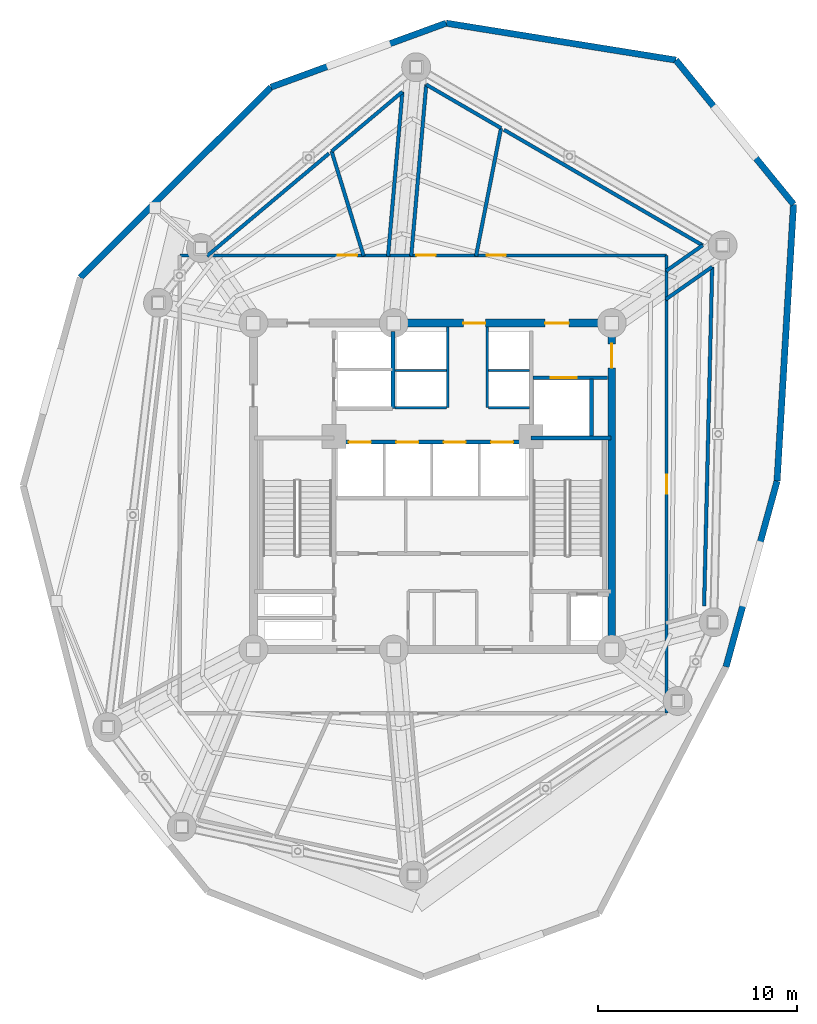
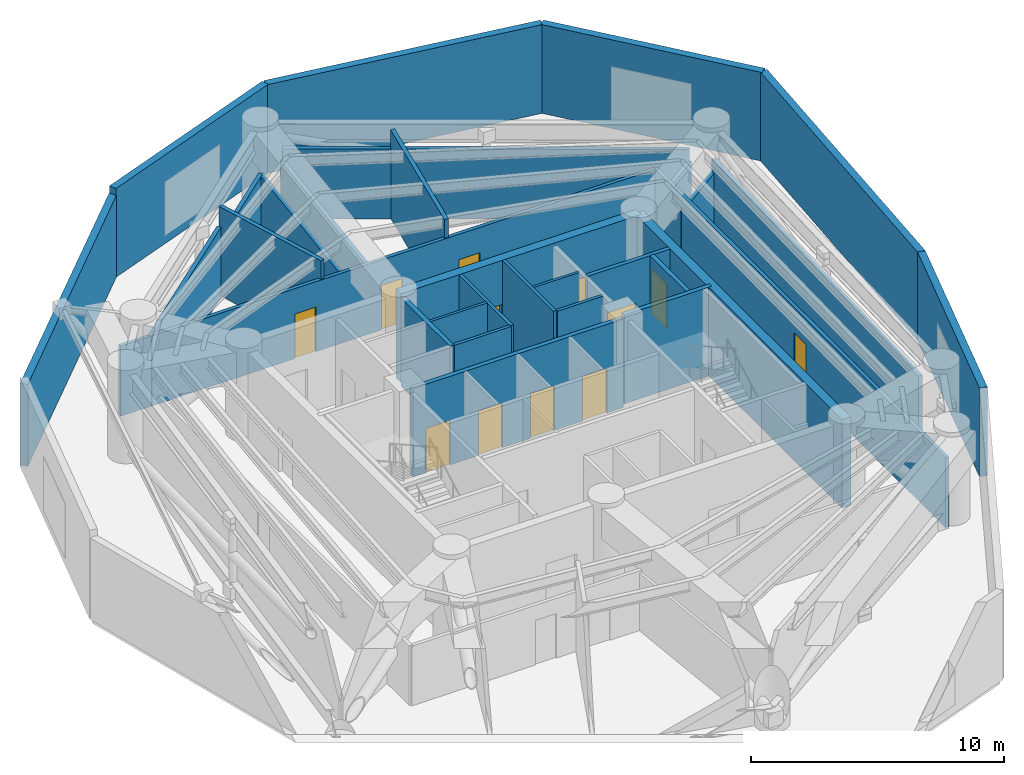
# One storey, part 7 of 11: 32 walls, 12 doors, 12 openings.
"""IFC4 building model written with IfcOpenShell, lengths in metres."""

from ifc_helpers import new_model, si_unit, direction, frame, frame_2d, origin, origin_with_axes, place, context, subcontext, project, spatial, rectangle, extrude, source, transform, mapped, material, layer, layer_set, type_object, element, fill, save


model = new_model("IFC4")

# Units and contexts
model_context = context("Model", 3, precision=1e-05, world=origin(), true_north=direction((0.0, 1.0)))
body_context = subcontext(model_context, "Body", "Model", "MODEL_VIEW")
ifc_project = project(units=[si_unit("LENGTHUNIT", "METRE"), si_unit("AREAUNIT", "SQUARE_METRE"), si_unit("VOLUMEUNIT", "CUBIC_METRE"), si_unit("PLANEANGLEUNIT", "RADIAN"), si_unit("MASSUNIT", "GRAM", prefix="KILO")], contexts=[model_context])

# Site, building, storey
site_placement = place(None, origin())
site = spatial("IfcSite", under=ifc_project, at=site_placement, CompositionType="ELEMENT")
building_placement = place(site_placement, origin())
building = spatial("IfcBuilding", under=site, at=building_placement, Name="Karkom Vertical University and Central Library", CompositionType="ELEMENT")
storey_placement = place(building_placement, frame((0.0, 0.0, 148.050048828125)))
storey = spatial("IfcBuildingStorey", under=building, at=storey_placement, Name="P42", CompositionType="ELEMENT", Elevation=148.050048828125)

# Walls
ifc_material_1 = material(Name="Brick-faced precast concrete C45/55", Category="masonry")
ifc_layer_1 = layer(ifc_material_1, 0.320068359375)
ifc_layer_set_1 = layer_set([ifc_layer_1], Name="Brick-faced precast concrete C45/55")
wall_type_1 = type_object("IfcWallType", Name="ENV-WL-BRK-320", PredefinedType="SOLIDWALL", material=ifc_layer_set_1)
wall_1_placement = place(storey_placement, frame((43.241455078125, 17.431884765625, 0.0), z_axis=(0.0, 0.0, 1.0), x_axis=(0.264882095781, 0.964280807304, 0.0)))
element("IfcWall", 1, at=wall_1_placement, inside=storey, type_object=wall_type_1, Name="Plant Level 42 Brick-Faced Precast Facade Wall 07", PredefinedType="SOLIDWALL", context=body_context, shape_type="SweptSolid", body=[
    extrude(rectangle(XDim=9.6787109375, YDim=0.320068359375, at=frame_2d((4.83935546875, 0.0))), origin(), (0.0, 0.0, 1.0), 4.27490234375),
])
wall_2_placement = place(storey_placement, frame((45.80517578125, 26.764892578125, 0.0), z_axis=(0.0, 0.0, 1.0), x_axis=(0.059429038074, 0.998232532747, 0.0)))
element("IfcWall", 2, at=wall_2_placement, inside=storey, type_object=wall_type_1, Name="Plant Level 42 Brick-Faced Precast Facade Wall 08", PredefinedType="SOLIDWALL", context=body_context, shape_type="SweptSolid", body=[
    extrude(rectangle(XDim=13.926513671875, YDim=0.320068359375, at=frame_2d((6.96337890625, 0.0))), origin(), (0.0, 0.0, 1.0), 4.27490234375),
])
wall_3_placement = place(storey_placement, frame((46.6328125, 40.666748046875, 0.0), z_axis=(0.0, 0.0, 1.0), x_axis=(-0.632230676024, 0.774780209023, 0.0)))
element("IfcWall", 3, at=wall_3_placement, inside=storey, type_object=wall_type_1, Name="Plant Level 42 Brick-Faced Precast Facade Wall 09", PredefinedType="SOLIDWALL", context=body_context, shape_type="SweptSolid", body=[
    extrude(rectangle(XDim=9.35107421875, YDim=0.320068359375, at=frame_2d((4.675537109375, 0.0))), origin(), (0.0, 0.0, 1.0), 4.27490234375),
])
wall_4_placement = place(storey_placement, frame((40.720703125, 47.911865234375, 0.0), z_axis=(0.0, 0.0, 1.0), x_axis=(-0.987324235098, 0.15871627134, 0.0)))
element("IfcWall", 4, at=wall_4_placement, inside=storey, type_object=wall_type_1, Name="Plant Level 42 Brick-Faced Precast Facade Wall 10", PredefinedType="SOLIDWALL", context=body_context, shape_type="SweptSolid", body=[
    extrude(rectangle(XDim=11.68896484375, YDim=0.320068359375, at=frame_2d((5.844482421875, 0.0))), origin(), (0.0, 0.0, 1.0), 4.27490234375),
])
wall_5_placement = place(storey_placement, frame((29.179931640625, 49.76708984375, 0.0), z_axis=(0.0, 0.0, 1.0), x_axis=(-0.939309487997, -0.343070963153, 0.0)))
element("IfcWall", 5, at=wall_5_placement, inside=storey, type_object=wall_type_1, Name="Plant Level 42 Brick-Faced Precast Facade Wall 11", PredefinedType="SOLIDWALL", context=body_context, shape_type="SweptSolid", body=[
    extrude(rectangle(XDim=9.37158203125, YDim=0.320068359375, at=frame_2d((4.685791015625, 0.0))), origin(), (0.0, 0.0, 1.0), 4.27490234375),
])
wall_6_placement = place(storey_placement, frame((20.377197265625, 46.552001953125, 0.0), z_axis=(0.0, 0.0, 1.0), x_axis=(-0.70744932358, -0.706764072776, 0.0)))
element("IfcWall", 6, at=wall_6_placement, inside=storey, type_object=wall_type_1, Name="Plant Level 42 Brick-Faced Precast Facade Wall 12", PredefinedType="SOLIDWALL", context=body_context, shape_type="SweptSolid", body=[
    extrude(rectangle(XDim=13.53857421875, YDim=0.320068359375, at=frame_2d((6.769287109375, 0.0))), origin(), (0.0, 0.0, 1.0), 3.945068359375),
])

# Wall, openings, doors
ifc_material_2 = material(Name="Insulated metal-stud drywall 160mm", Category="gypsum")
ifc_layer_2 = layer(ifc_material_2, 0.159912109375)
ifc_layer_set_2 = layer_set([ifc_layer_2], Name="Insulated metal-stud drywall 160mm")
wall_type_2 = type_object("IfcWallType", Name="INT-WL-COR-160F", PredefinedType="PARTITIONING", material=ifc_layer_set_2)
wall_7_placement = place(storey_placement, frame((15.800048828125, 38.10009765625, 0.0), z_axis=(0.0, 0.0, 1.0), x_axis=(1.0, 0.0, 0.0)))
wall_7 = element("IfcWall", 7, at=wall_7_placement, inside=storey, type_object=wall_type_2, Name="Plant Level 42 Interior Partition Wall P42-PCORW-CW-003", PredefinedType="PARTITIONING", context=body_context, shape_type="SweptSolid", body=[
    extrude(rectangle(XDim=24.449951171875, YDim=0.159912109375, at=frame_2d((12.22509765625, 0.0))), origin(), (0.0, 0.0, 1.0), 3.375),
])
opening_1_placement = place(wall_7_placement, frame((15.41748046875, 0.0, 0.0)))
opening_1 = element("IfcOpeningElement", 8, at=opening_1_placement, cuts=wall_7, Name="Opening FD-RM1", PredefinedType="OPENING", context=body_context, shape_type="SweptSolid", body=[
    extrude(rectangle(XDim=0.9599609375, YDim=2.14990234375, at=frame_2d((0.47998046875, 1.074951171875))), frame((0.0, 0.08984375, 0.0), z_axis=(0.0, -1.0, 0.0), x_axis=(1.0, 0.0, 0.0)), (0.0, 0.0, 1.0), 0.179931640625),
])
opening_2_placement = place(wall_7_placement, frame((11.889892578125, 0.0, 0.0)))
opening_2 = element("IfcOpeningElement", 9, at=opening_2_placement, cuts=wall_7, Name="Opening FD-RM1", PredefinedType="OPENING", context=body_context, shape_type="SweptSolid", body=[
    extrude(rectangle(XDim=0.9599609375, YDim=2.14990234375, at=frame_2d((0.47998046875, 1.074951171875))), frame((0.0, 0.08984375, 0.0), z_axis=(0.0, -1.0, 0.0), x_axis=(1.0, 0.0, 0.0)), (0.0, 0.0, 1.0), 0.179931640625),
])
opening_3_placement = place(wall_7_placement, frame((7.9423828125, 0.0, 0.0)))
opening_3 = element("IfcOpeningElement", 10, at=opening_3_placement, cuts=wall_7, Name="Opening FD-RM1", PredefinedType="OPENING", context=body_context, shape_type="SweptSolid", body=[
    extrude(rectangle(XDim=0.9599609375, YDim=2.14990234375, at=frame_2d((0.47998046875, 1.074951171875))), frame((0.0, 0.08984375, 0.0), z_axis=(0.0, -1.0, 0.0), x_axis=(1.0, 0.0, 0.0)), (0.0, 0.0, 1.0), 0.179931640625),
])
ifc_material_3 = material(Name="Fire-rated oak veneer door", Category="wood")
door_type_1 = type_object("IfcDoorType", Name="INT-DR-FRM1", OperationType="NOTDEFINED", PredefinedType="DOOR", material=ifc_material_3)
shared_shape_1 = source(origin_with_axes(), body_context, "Body", "SweptSolid", [
    extrude(rectangle(XDim=0.9599609375, YDim=2.14990234375, at=frame_2d((0.47998046875, 1.074951171875))), frame((0.0, 0.02490234375, 0.0), z_axis=(0.0, -1.0, 0.0), x_axis=(1.0, 0.0, 0.0)), (0.0, 0.0, 1.0), 0.050048828125),
])
door_1_placement = place(opening_1_placement, origin())
door_1 = element("IfcDoor", 11, at=door_1_placement, inside=storey, type_object=door_type_1, Name="Plant Level 42 Room Entry Door 705", OperationType="SINGLE_SWING_RIGHT", OverallHeight=2.14990234375, OverallWidth=0.9599609375, PredefinedType="DOOR", context=body_context, shape_type="MappedRepresentation", body=[
    mapped(shared_shape_1, transform((0.0, 0.0, 0.0), scale=1.0)),
])
fill(opening_1, door_1)
door_2_placement = place(opening_2_placement, origin())
door_2 = element("IfcDoor", 12, at=door_2_placement, inside=storey, type_object=door_type_1, Name="Plant Level 42 Room Entry Door 706", OperationType="SINGLE_SWING_LEFT", OverallHeight=2.14990234375, OverallWidth=0.9599609375, PredefinedType="DOOR", context=body_context, shape_type="MappedRepresentation", body=[
    mapped(shared_shape_1, transform((0.0, 0.0, 0.0), scale=1.0)),
])
fill(opening_2, door_2)
door_3_placement = place(opening_3_placement, origin())
door_3 = element("IfcDoor", 13, at=door_3_placement, inside=storey, type_object=door_type_1, Name="Plant Level 42 Room Entry Door 707", OperationType="SINGLE_SWING_LEFT", OverallHeight=2.14990234375, OverallWidth=0.9599609375, PredefinedType="DOOR", context=body_context, shape_type="MappedRepresentation", body=[
    mapped(shared_shape_1, transform((0.0, 0.0, 0.0), scale=1.0)),
])
fill(opening_3, door_3)

# Wall, opening, door
wall_8_placement = place(storey_placement, frame((40.25, 38.10009765625, 0.0), z_axis=(0.0, 0.0, 1.0), x_axis=(0.0, -1.0, 0.0)))
wall_8 = element("IfcWall", 14, at=wall_8_placement, inside=storey, type_object=wall_type_2, Name="Plant Level 42 Interior Partition Wall P42-PCORW-CW-004", PredefinedType="PARTITIONING", context=body_context, shape_type="SweptSolid", body=[
    extrude(rectangle(XDim=23.0, YDim=0.159912109375, at=frame_2d((11.5, 0.0))), origin(), (0.0, 0.0, 1.0), 3.375),
])
opening_4_placement = place(wall_8_placement, frame((11.02490234375, 0.0, 0.0)))
opening_4 = element("IfcOpeningElement", 15, at=opening_4_placement, cuts=wall_8, Name="Opening FD-RM1", PredefinedType="OPENING", context=body_context, shape_type="SweptSolid", body=[
    extrude(rectangle(XDim=0.9599609375, YDim=2.14990234375, at=frame_2d((0.47998046875, 1.074951171875))), frame((0.0, 0.08984375, 0.0), z_axis=(0.0, -1.0, 0.0), x_axis=(1.0, 0.0, 0.0)), (0.0, 0.0, 1.0), 0.179931640625),
])
door_4_placement = place(opening_4_placement, origin())
door_4 = element("IfcDoor", 16, at=door_4_placement, inside=storey, type_object=door_type_1, Name="Plant Level 42 Room Entry Door 704", OperationType="SINGLE_SWING_LEFT", OverallHeight=2.14990234375, OverallWidth=0.9599609375, PredefinedType="DOOR", context=body_context, shape_type="MappedRepresentation", body=[
    mapped(shared_shape_1, transform((0.0, 0.0, 0.0), scale=1.0)),
])
fill(opening_4, door_4)

# Walls
ifc_material_4 = material(Name="Moisture-resistant drywall 120mm", Category="gypsum")
ifc_layer_3 = layer(ifc_material_4, 0.1201171875)
ifc_layer_set_3 = layer_set([ifc_layer_3], Name="Moisture-resistant drywall 120mm")
wall_type_3 = type_object("IfcWallType", Name="INT-WL-INT-120H", PredefinedType="PARTITIONING", material=ifc_layer_set_3)
wall_9_placement = place(storey_placement, frame((26.6201171875, 32.320068359375, 0.0), z_axis=(0.0, 0.0, 1.0), x_axis=(1.0, 0.0, 0.0)))
element("IfcWall", 17, at=wall_9_placement, inside=storey, type_object=wall_type_3, Name="Plant Level 42 Interior Partition Wall P42-CW-PH-MW", PredefinedType="PARTITIONING", context=body_context, shape_type="SweptSolid", body=[
    extrude(rectangle(XDim=2.579833984375, YDim=0.1201171875, at=frame_2d((1.2900390625, 0.0))), origin(), (0.0, 0.0, 1.0), 4.27490234375),
])
wall_10_placement = place(storey_placement, frame((31.300048828125, 32.320068359375, 0.0), z_axis=(0.0, 0.0, 1.0), x_axis=(1.0, 0.0, 0.0)))
element("IfcWall", 18, at=wall_10_placement, inside=storey, type_object=wall_type_3, Name="Plant Level 42 Interior Partition Wall P42-CW-PH-ME", PredefinedType="PARTITIONING", context=body_context, shape_type="SweptSolid", body=[
    extrude(rectangle(XDim=2.074951171875, YDim=0.1201171875, at=frame_2d((1.03759765625, 0.0))), origin(), (0.0, 0.0, 1.0), 4.27490234375),
])
ifc_material_5 = material(Name="Metal-stud gypsum partition 140mm", Category="gypsum")
ifc_layer_4 = layer(ifc_material_5, 0.139892578125)
ifc_layer_set_4 = layer_set([ifc_layer_4], Name="Metal-stud gypsum partition 140mm")
wall_type_4 = type_object("IfcWallType", Name="INT-WL-SUB-140H", PredefinedType="PARTITIONING", material=ifc_layer_set_4)
for number, where, z_axis, x_axis, name in (
    (19, (29.260009765625, 30.449951171875, 0.0), (0.0, 0.0, 1.0), (0.0, 1.0, 0.0), "Plant Level 42 Interior Partition Wall P42-CW-PH-W"),
    (20, (31.239990234375, 30.449951171875, 0.0), (0.0, 0.0, 1.0), (0.0, 1.0, 0.0), "Plant Level 42 Interior Partition Wall P42-CW-PH-E"),
):
    element("IfcWall", number, at=place(storey_placement, frame(where, z_axis=z_axis, x_axis=x_axis)), inside=storey, type_object=wall_type_4, Name=name, PredefinedType="PARTITIONING", context=body_context, shape_type="SweptSolid", body=[
        extrude(rectangle(XDim=4.04296875, YDim=0.139892578125, at=frame_2d((2.021484375, 0.0))), origin(), (0.0, 0.0, 1.0), 4.27490234375),
    ])
wall_11_placement = place(storey_placement, frame((26.6201171875, 30.449951171875, 0.0), z_axis=(0.0, 0.0, 1.0), x_axis=(1.0, 0.0, 0.0)))
element("IfcWall", 21, at=wall_11_placement, inside=storey, type_object=wall_type_4, Name="Plant Level 42 Interior Partition Wall P42-CW-PH-S1", PredefinedType="PARTITIONING", context=body_context, shape_type="SweptSolid", body=[
    extrude(rectangle(XDim=2.579833984375, YDim=0.139892578125, at=frame_2d((1.2900390625, 0.0))), origin(), (0.0, 0.0, 1.0), 4.27490234375),
])
wall_12_placement = place(storey_placement, frame((31.300048828125, 30.449951171875, 0.0), z_axis=(0.0, 0.0, 1.0), x_axis=(1.0, 0.0, 0.0)))
element("IfcWall", 22, at=wall_12_placement, inside=storey, type_object=wall_type_4, Name="Plant Level 42 Interior Partition Wall P42-CW-PH-S2", PredefinedType="PARTITIONING", context=body_context, shape_type="SweptSolid", body=[
    extrude(rectangle(XDim=2.074951171875, YDim=0.139892578125, at=frame_2d((1.03759765625, 0.0))), origin(), (0.0, 0.0, 1.0), 4.27490234375),
])
ifc_material_6 = material(Name="Twin-stud acoustic drywall 180mm", Category="gypsum")
ifc_layer_5 = layer(ifc_material_6, 0.179931640625)
ifc_layer_set_5 = layer_set([ifc_layer_5], Name="Twin-stud acoustic drywall 180mm")
wall_type_5 = type_object("IfcWallType", Name="INT-WL-TEN-180F", PredefinedType="PARTITIONING", material=ifc_layer_set_5)
wall_13_placement = place(storey_placement, frame((42.544189453125, 37.523681640625, 0.0), z_axis=(0.0, 0.0, 1.0), x_axis=(-0.02381710021, -0.999716332635, 0.0)))
element("IfcWall", 23, at=wall_13_placement, inside=storey, type_object=wall_type_5, Name="Plant Level 42 Interior Partition Wall P42-PLCHW-012", PredefinedType="PARTITIONING", context=body_context, shape_type="SweptSolid", body=[
    extrude(rectangle(XDim=17.03662109375, YDim=0.179931640625, at=frame_2d((8.518310546875, 0.0))), origin(), (0.0, 0.0, 1.0), 3.375),
])
wall_14_placement = place(storey_placement, frame((32.084228515625, 44.40869140625, 0.0), z_axis=(0.0, 0.0, 1.0), x_axis=(0.864506545688, -0.502621559887, 0.0)))
element("IfcWall", 24, at=wall_14_placement, inside=storey, type_object=wall_type_5, Name="Plant Level 42 Interior Partition Wall P42-PLCHW-015", PredefinedType="PARTITIONING", context=body_context, shape_type="SweptSolid", body=[
    extrude(rectangle(XDim=11.54638671875, YDim=0.179931640625, at=frame_2d((5.773193359375, 0.0))), origin(), (0.0, 0.0, 1.0), 3.375),
])
wall_15_placement = place(storey_placement, frame((27.42578125, 38.05517578125, 0.0), z_axis=(0.0, 0.0, 1.0), x_axis=(0.087122516356, 0.996197604466, 0.0)))
element("IfcWall", 25, at=wall_15_placement, inside=storey, type_object=wall_type_5, Name="Plant Level 42 Interior Partition Wall P42-PLCHW-018", PredefinedType="PARTITIONING", context=body_context, shape_type="SweptSolid", body=[
    extrude(rectangle(XDim=8.65625, YDim=0.179931640625, at=frame_2d((4.328125, 0.0))), origin(), (0.0, 0.0, 1.0), 2.77490234375),
])
wall_16_placement = place(storey_placement, frame((26.98388671875, 46.318359375, 0.0), z_axis=(0.0, 0.0, 1.0), x_axis=(-0.08712240554, -0.996197614157, 0.0)))
element("IfcWall", 26, at=wall_16_placement, inside=storey, type_object=wall_type_5, Name="Plant Level 42 Interior Partition Wall P42-PLCHW-017", PredefinedType="PARTITIONING", context=body_context, shape_type="SweptSolid", body=[
    extrude(rectangle(XDim=8.294677734375, YDim=0.179931640625, at=frame_2d((4.1474609375, 0.0))), origin(), (0.0, 0.0, 1.0), 2.77490234375),
])
wall_17_placement = place(storey_placement, frame((17.1669921875, 38.071044921875, 0.0), z_axis=(0.0, 0.0, 1.0), x_axis=(0.765666999963, 0.643237160904, 0.0)))
element("IfcWall", 27, at=wall_17_placement, inside=storey, type_object=wall_type_5, Name="Plant Level 42 Interior Partition Wall P42-PLCHW-023", PredefinedType="PARTITIONING", context=body_context, shape_type="SweptSolid", body=[
    extrude(rectangle(XDim=8.00244140625, YDim=0.179931640625, at=frame_2d((4.001220703125, 0.0))), origin(), (0.0, 0.0, 1.0), 3.375),
])
wall_18_placement = place(storey_placement, frame((31.93798828125, 44.49365234375, 0.0), z_axis=(0.0, 0.0, 1.0), x_axis=(-0.191970305615, -0.981400734543, 0.0)))
element("IfcWall", 28, at=wall_18_placement, inside=storey, type_object=wall_type_5, Name="Plant Level 42 Interior Partition Wall P42-PLCHW-020", PredefinedType="PARTITIONING", context=body_context, shape_type="SweptSolid", body=[
    extrude(rectangle(XDim=6.559814453125, YDim=0.179931640625, at=frame_2d((3.27978515625, 0.0))), origin(), (0.0, 0.0, 1.0), 4.27490234375),
])
wall_19_placement = place(storey_placement, frame((25.03857421875, 38.0712890625, 0.0), z_axis=(0.0, 0.0, 1.0), x_axis=(-0.292950308957, 0.95612766746, 0.0)))
element("IfcWall", 29, at=wall_19_placement, inside=storey, type_object=wall_type_5, Name="Plant Level 42 Interior Partition Wall P42-PLCHW-021", PredefinedType="PARTITIONING", context=body_context, shape_type="SweptSolid", body=[
    extrude(rectangle(XDim=5.500244140625, YDim=0.179931640625, at=frame_2d((2.75, 0.0))), origin(), (0.0, 0.0, 1.0), 4.27490234375),
])
wall_20_placement = place(storey_placement, frame((23.42724609375, 43.330322265625, 0.0), z_axis=(0.0, 0.0, 1.0), x_axis=(0.765656200165, 0.64325001605, 0.0)))
element("IfcWall", 30, at=wall_20_placement, inside=storey, type_object=wall_type_5, Name="Plant Level 42 Interior Partition Wall P42-PLCHW-022", PredefinedType="PARTITIONING", context=body_context, shape_type="SweptSolid", body=[
    extrude(rectangle(XDim=4.645263671875, YDim=0.179931640625, at=frame_2d((2.32275390625, 0.0))), origin(), (0.0, 0.0, 1.0), 2.77490234375),
])
wall_21_placement = place(storey_placement, frame((28.179931640625, 46.678466796875, 0.0), z_axis=(0.0, 0.0, 1.0), x_axis=(0.864517402092, -0.502602886463, 0.0)))
element("IfcWall", 31, at=wall_21_placement, inside=storey, type_object=wall_type_5, Name="Plant Level 42 Interior Partition Wall P42-PLCHW-019", PredefinedType="PARTITIONING", context=body_context, shape_type="SweptSolid", body=[
    extrude(rectangle(XDim=4.346923828125, YDim=0.179931640625, at=frame_2d((2.17333984375, 0.0))), origin(), (0.0, 0.0, 1.0), 3.375),
])

# Wall, opening, door
wall_22_placement = place(storey_placement, frame((33.534912109375, 31.949951171875, 0.0), z_axis=(0.0, 0.0, 1.0), x_axis=(1.0, 0.0, 0.0)))
wall_22 = element("IfcWall", 32, at=wall_22_placement, inside=storey, type_object=wall_type_5, Name="Plant Level 42 Interior Partition Wall P42-CW-SVL-N", PredefinedType="PARTITIONING", context=body_context, shape_type="SweptSolid", body=[
    extrude(rectangle(XDim=3.7587890625, YDim=0.179931640625, at=frame_2d((1.87939453125, 0.0))), origin(), (0.0, 0.0, 1.0), 4.27490234375),
])
opening_5_placement = place(wall_22_placement, frame((0.89990234375, 0.0, 0.0)))
opening_5 = element("IfcOpeningElement", 33, at=opening_5_placement, cuts=wall_22, Name="Opening LD-SV1", PredefinedType="OPENING", context=body_context, shape_type="SweptSolid", body=[
    extrude(rectangle(XDim=1.300048828125, YDim=2.199951171875, at=frame_2d((0.64990234375, 1.10009765625))), frame((0.0, 0.10009765625, 0.0), z_axis=(0.0, -1.0, 0.0), x_axis=(1.0, 0.0, 0.0)), (0.0, 0.0, 1.0), 0.199951171875),
])
ifc_material_7 = material(Name="Brushed stainless-steel landing door", Category="steel")
door_type_2 = type_object("IfcDoorType", Name="INT-DR-LD-SV1", OperationType="SLIDING_TO_LEFT", PredefinedType="DOOR", material=ifc_material_7)
shared_shape_2 = source(origin_with_axes(), body_context, "Body", "SweptSolid", [
    extrude(rectangle(XDim=1.300048828125, YDim=2.199951171875, at=frame_2d((0.64990234375, 1.10009765625))), frame((0.0, 0.02490234375, 0.0), z_axis=(0.0, -1.0, 0.0), x_axis=(1.0, 0.0, 0.0)), (0.0, 0.0, 1.0), 0.050048828125),
])
door_5_placement = place(opening_5_placement, origin())
door_5 = element("IfcDoor", 34, at=door_5_placement, inside=storey, type_object=door_type_2, Name="Plant Level 42 Service Lift Landing Door LD-SV1", OperationType="SLIDING_TO_LEFT", OverallHeight=2.199951171875, OverallWidth=1.300048828125, PredefinedType="DOOR", context=body_context, shape_type="MappedRepresentation", body=[
    mapped(shared_shape_2, transform((0.0, 0.0, 0.0), scale=1.0)),
])
fill(opening_5, door_5)

# Walls
wall_23_placement = place(storey_placement, frame((40.213134765625, 35.8916015625, 0.0), z_axis=(0.0, 0.0, 1.0), x_axis=(0.819175487294, 0.573542954814, 0.0)))
element("IfcWall", 35, at=wall_23_placement, inside=storey, type_object=wall_type_5, Name="Plant Level 42 Interior Partition Wall P42-PLCHW-011", PredefinedType="PARTITIONING", context=body_context, shape_type="SweptSolid", body=[
    extrude(rectangle(XDim=2.845703125, YDim=0.179931640625, at=frame_2d((1.4228515625, 0.0))), origin(), (0.0, 0.0, 1.0), 2.77490234375),
])
wall_24_placement = place(storey_placement, frame((42.066162109375, 38.605224609375, 0.0), z_axis=(0.0, 0.0, 1.0), x_axis=(-0.81918087615, -0.573535257983, 0.0)))
element("IfcWall", 36, at=wall_24_placement, inside=storey, type_object=wall_type_5, Name="Plant Level 42 Interior Partition Wall P42-PLCHW-016", PredefinedType="PARTITIONING", context=body_context, shape_type="SweptSolid", body=[
    extrude(rectangle(XDim=2.2470703125, YDim=0.179931640625, at=frame_2d((1.12353515625, 0.0))), origin(), (0.0, 0.0, 1.0), 2.77490234375),
])

# Wall, opening, door
ifc_material_8 = material(Name="Concrete C50/60", Category="concrete")
ifc_layer_6 = layer(ifc_material_8, 0.39990234375)
ifc_layer_set_6 = layer_set([ifc_layer_6], Name="Concrete C50/60")
wall_type_6 = type_object("IfcWallType", Name="STR-WL-CW-400", PredefinedType="SHEAR", material=ifc_layer_set_6)
wall_25_placement = place(storey_placement, frame((37.5, 18.300048828125, 0.0), z_axis=(0.0, 0.0, 1.0), x_axis=(0.0, 1.0, 0.0)))
wall_25 = element("IfcWall", 37, at=wall_25_placement, inside=storey, type_object=wall_type_6, Name="Plant Level 42 Central Core Shear Wall EW", PredefinedType="SHEAR", context=body_context, shape_type="SweptSolid", body=[
    extrude(rectangle(XDim=16.39990234375, YDim=0.39990234375, at=frame_2d((8.199951171875, 0.0))), origin(), (0.0, 0.0, 1.0), 4.27490234375),
])
opening_6_placement = place(wall_25_placement, frame((14.14990234375, 0.0, 0.0)))
opening_6 = element("IfcOpeningElement", 38, at=opening_6_placement, cuts=wall_25, Name="Opening FD-SUB1", PredefinedType="OPENING", context=body_context, shape_type="SweptSolid", body=[
    extrude(rectangle(XDim=1.199951171875, YDim=2.14990234375, at=frame_2d((0.60009765625, 1.074951171875))), frame((0.0, 0.2099609375, 0.0), z_axis=(0.0, -1.0, 0.0), x_axis=(1.0, 0.0, 0.0)), (0.0, 0.0, 1.0), 0.419921875),
])
ifc_material_9 = material(Name="Painted steel fire door", Category="steel")
door_type_3 = type_object("IfcDoorType", Name="INT-DR-SUB1", OperationType="NOTDEFINED", PredefinedType="DOOR", material=ifc_material_9)
shared_shape_3 = source(origin_with_axes(), body_context, "Body", "SweptSolid", [
    extrude(rectangle(XDim=1.199951171875, YDim=2.14990234375, at=frame_2d((0.60009765625, 1.074951171875))), frame((0.0, 0.02490234375, 0.0), z_axis=(0.0, -1.0, 0.0), x_axis=(1.0, 0.0, 0.0)), (0.0, 0.0, 1.0), 0.050048828125),
])
door_6_placement = place(opening_6_placement, origin())
door_6 = element("IfcDoor", 39, at=door_6_placement, inside=storey, type_object=door_type_3, Name="Plant Level 42 East Corridor Service Lobby Door", OperationType="SINGLE_SWING_RIGHT", OverallHeight=2.14990234375, OverallWidth=1.199951171875, PredefinedType="DOOR", context=body_context, shape_type="MappedRepresentation", body=[
    mapped(shared_shape_3, transform((0.0, 0.0, 0.0), scale=1.0)),
])
fill(opening_6, door_6)

# Wall, openings, doors
wall_26_placement = place(storey_placement, frame((37.5, 34.699951171875, 0.0), z_axis=(0.0, 0.0, 1.0), x_axis=(-1.0, 0.0, 0.0)))
wall_26 = element("IfcWall", 40, at=wall_26_placement, inside=storey, type_object=wall_type_6, Name="Plant Level 42 Central Core Shear Wall NW1", PredefinedType="SHEAR", context=body_context, shape_type="SweptSolid", body=[
    extrude(rectangle(XDim=10.949951171875, YDim=0.39990234375, at=frame_2d((5.47509765625, 0.0))), origin(), (0.0, 0.0, 1.0), 4.27490234375),
])
opening_7_placement = place(wall_26_placement, frame((2.14990234375, 0.0, 0.0)))
opening_7 = element("IfcOpeningElement", 41, at=opening_7_placement, cuts=wall_26, Name="Opening FD-SUB1", PredefinedType="OPENING", context=body_context, shape_type="SweptSolid", body=[
    extrude(rectangle(XDim=1.199951171875, YDim=2.14990234375, at=frame_2d((0.60009765625, 1.074951171875))), frame((0.0, 0.2099609375, 0.0), z_axis=(0.0, -1.0, 0.0), x_axis=(1.0, 0.0, 0.0)), (0.0, 0.0, 1.0), 0.419921875),
])
opening_8_placement = place(wall_26_placement, frame((6.35009765625, 0.0, 0.0)))
opening_8 = element("IfcOpeningElement", 42, at=opening_8_placement, cuts=wall_26, Name="Opening FD-FFL", PredefinedType="OPENING", context=body_context, shape_type="SweptSolid", body=[
    extrude(rectangle(XDim=1.10009765625, YDim=2.14990234375, at=frame_2d((0.550048828125, 1.074951171875))), frame((0.0, 0.2099609375, 0.0), z_axis=(0.0, -1.0, 0.0), x_axis=(1.0, 0.0, 0.0)), (0.0, 0.0, 1.0), 0.419921875),
])
ifc_material_10 = material(Name="Painted steel smoke-seal fire door", Category="steel")
door_type_4 = type_object("IfcDoorType", Name="INT-DR-FFL", OperationType="NOTDEFINED", PredefinedType="DOOR", material=ifc_material_10)
shared_shape_4 = source(origin_with_axes(), body_context, "Body", "SweptSolid", [
    extrude(rectangle(XDim=1.10009765625, YDim=2.14990234375, at=frame_2d((0.550048828125, 1.074951171875))), frame((0.0, 0.02490234375, 0.0), z_axis=(0.0, -1.0, 0.0), x_axis=(1.0, 0.0, 0.0)), (0.0, 0.0, 1.0), 0.050048828125),
])
door_7_placement = place(opening_8_placement, origin())
door_7 = element("IfcDoor", 43, at=door_7_placement, inside=storey, type_object=door_type_4, Name="Plant Level 42 North Core Lobby Exit Door", OperationType="SINGLE_SWING_LEFT", OverallHeight=2.14990234375, OverallWidth=1.10009765625, PredefinedType="DOOR", context=body_context, shape_type="MappedRepresentation", body=[
    mapped(shared_shape_4, transform((0.0, 0.0, 0.0), scale=1.0)),
])
fill(opening_8, door_7)
door_8_placement = place(opening_7_placement, origin())
door_8 = element("IfcDoor", 44, at=door_8_placement, inside=storey, type_object=door_type_3, Name="Plant Level 42 Service Lobby Fire Door", OperationType="SINGLE_SWING_LEFT", OverallHeight=2.14990234375, OverallWidth=1.199951171875, PredefinedType="DOOR", context=body_context, shape_type="MappedRepresentation", body=[
    mapped(shared_shape_3, transform((0.0, 0.0, 0.0), scale=1.0)),
])
fill(opening_7, door_8)

ifc_material_11 = material(Name="Concrete C45/55", Category="concrete")
ifc_layer_7 = layer(ifc_material_11, 0.199951171875)
ifc_layer_set_7 = layer_set([ifc_layer_7], Name="Concrete C45/55")
wall_type_7 = type_object("IfcWallType", Name="STR-WL-ST-200", PredefinedType="SHEAR", material=ifc_layer_set_7)
wall_27_placement = place(storey_placement, frame((23.699951171875, 28.719970703125, 0.0), z_axis=(0.0, 0.0, 1.0), x_axis=(1.0, 0.0, 0.0)))
wall_27 = element("IfcWall", 45, at=wall_27_placement, inside=storey, type_object=wall_type_7, Name="Plant Level 42 Core Shaft Wall P42-CW-B2-N", PredefinedType="SHEAR", context=body_context, shape_type="SweptSolid", body=[
    extrude(rectangle(XDim=9.60009765625, YDim=0.199951171875, at=frame_2d((4.800048828125, 0.0))), origin(), (0.0, 0.0, 1.0), 4.27490234375),
])
opening_9_placement = place(wall_27_placement, frame((0.60009765625, 0.0, 0.0)))
opening_9 = element("IfcOpeningElement", 46, at=opening_9_placement, cuts=wall_27, Name="Opening LD-PAX", PredefinedType="OPENING", context=body_context, shape_type="SweptSolid", body=[
    extrude(rectangle(XDim=1.10009765625, YDim=2.14990234375, at=frame_2d((0.550048828125, 1.074951171875))), frame((0.0, 0.10986328125, 0.0), z_axis=(0.0, -1.0, 0.0), x_axis=(1.0, 0.0, 0.0)), (0.0, 0.0, 1.0), 0.219970703125),
])
opening_10_placement = place(wall_27_placement, frame((2.97998046875, 0.0, 0.0)))
opening_10 = element("IfcOpeningElement", 47, at=opening_10_placement, cuts=wall_27, Name="Opening LD-PAX", PredefinedType="OPENING", context=body_context, shape_type="SweptSolid", body=[
    extrude(rectangle(XDim=1.10009765625, YDim=2.14990234375, at=frame_2d((0.550048828125, 1.074951171875))), frame((0.0, 0.10986328125, 0.0), z_axis=(0.0, -1.0, 0.0), x_axis=(1.0, 0.0, 0.0)), (0.0, 0.0, 1.0), 0.219970703125),
])
opening_11_placement = place(wall_27_placement, frame((5.360107421875, 0.0, 0.0)))
opening_11 = element("IfcOpeningElement", 48, at=opening_11_placement, cuts=wall_27, Name="Opening LD-PAX", PredefinedType="OPENING", context=body_context, shape_type="SweptSolid", body=[
    extrude(rectangle(XDim=1.10009765625, YDim=2.14990234375, at=frame_2d((0.550048828125, 1.074951171875))), frame((0.0, 0.10986328125, 0.0), z_axis=(0.0, -1.0, 0.0), x_axis=(1.0, 0.0, 0.0)), (0.0, 0.0, 1.0), 0.219970703125),
])
opening_12_placement = place(wall_27_placement, frame((7.739990234375, 0.0, 0.0)))
opening_12 = element("IfcOpeningElement", 49, at=opening_12_placement, cuts=wall_27, Name="Opening LD-PAX", PredefinedType="OPENING", context=body_context, shape_type="SweptSolid", body=[
    extrude(rectangle(XDim=1.10009765625, YDim=2.14990234375, at=frame_2d((0.550048828125, 1.074951171875))), frame((0.0, 0.10986328125, 0.0), z_axis=(0.0, -1.0, 0.0), x_axis=(1.0, 0.0, 0.0)), (0.0, 0.0, 1.0), 0.219970703125),
])
door_type_5 = type_object("IfcDoorType", Name="INT-DR-LD-PAX", OperationType="SLIDING_TO_LEFT", PredefinedType="DOOR", material=ifc_material_7)
door_9_placement = place(opening_9_placement, origin())
door_9 = element("IfcDoor", 50, at=door_9_placement, inside=storey, type_object=door_type_5, Name="Plant Level 42 Lift PM-1 Landing Door", OperationType="SLIDING_TO_LEFT", OverallHeight=2.14990234375, OverallWidth=1.10009765625, PredefinedType="DOOR", context=body_context, shape_type="MappedRepresentation", body=[
    mapped(shared_shape_4, transform((0.0, 0.0, 0.0), scale=1.0)),
])
fill(opening_9, door_9)
door_10_placement = place(opening_10_placement, origin())
door_10 = element("IfcDoor", 51, at=door_10_placement, inside=storey, type_object=door_type_5, Name="Plant Level 42 Lift PM-2 Landing Door", OperationType="SLIDING_TO_RIGHT", OverallHeight=2.14990234375, OverallWidth=1.10009765625, PredefinedType="DOOR", context=body_context, shape_type="MappedRepresentation", body=[
    mapped(shared_shape_4, transform((0.0, 0.0, 0.0), scale=1.0)),
])
fill(opening_10, door_10)
door_11_placement = place(opening_11_placement, origin())
door_11 = element("IfcDoor", 52, at=door_11_placement, inside=storey, type_object=door_type_5, Name="Plant Level 42 Lift PM-3 Landing Door", OperationType="SLIDING_TO_LEFT", OverallHeight=2.14990234375, OverallWidth=1.10009765625, PredefinedType="DOOR", context=body_context, shape_type="MappedRepresentation", body=[
    mapped(shared_shape_4, transform((0.0, 0.0, 0.0), scale=1.0)),
])
fill(opening_11, door_11)
door_12_placement = place(opening_12_placement, origin())
door_12 = element("IfcDoor", 53, at=door_12_placement, inside=storey, type_object=door_type_5, Name="Plant Level 42 Lift PM-4 Landing Door", OperationType="SLIDING_TO_RIGHT", OverallHeight=2.14990234375, OverallWidth=1.10009765625, PredefinedType="DOOR", context=body_context, shape_type="MappedRepresentation", body=[
    mapped(shared_shape_4, transform((0.0, 0.0, 0.0), scale=1.0)),
])
fill(opening_12, door_12)

# Walls
wall_28_placement = place(storey_placement, frame((33.455078125, 28.925048828125, 0.0), z_axis=(0.0, 0.0, 1.0), x_axis=(1.0, 0.0, 0.0)))
element("IfcWall", 54, at=wall_28_placement, inside=storey, type_object=wall_type_7, Name="Plant Level 42 Core Shaft Wall P42-CW-ST2-N", PredefinedType="SHEAR", context=body_context, shape_type="SweptSolid", body=[
    extrude(rectangle(XDim=3.994873046875, YDim=0.199951171875, at=frame_2d((1.99755859375, 0.0))), origin(), (0.0, 0.0, 1.0), 4.27490234375),
])
wall_29_placement = place(storey_placement, frame((26.52001953125, 30.419921875, 0.0), z_axis=(0.0, 0.0, 1.0), x_axis=(0.0, 1.0, 0.0)))
element("IfcWall", 55, at=wall_29_placement, inside=storey, type_object=wall_type_7, Name="Plant Level 42 Core Shaft Wall P42-CW-FFL-E", PredefinedType="SHEAR", context=body_context, shape_type="SweptSolid", body=[
    extrude(rectangle(XDim=3.860107421875, YDim=0.199951171875, at=frame_2d((1.93017578125, 0.0))), origin(), (0.0, 0.0, 1.0), 4.27490234375),
])
wall_30_placement = place(storey_placement, frame((36.47998046875, 29.02001953125, 0.0), z_axis=(0.0, 0.0, 1.0), x_axis=(0.0, 1.0, 0.0)))
element("IfcWall", 56, at=wall_30_placement, inside=storey, type_object=wall_type_7, Name="Plant Level 42 Core Shaft Wall P42-CW-SVL-E", PredefinedType="SHEAR", context=body_context, shape_type="SweptSolid", body=[
    extrude(rectangle(XDim=2.85986328125, YDim=0.199951171875, at=frame_2d((1.429931640625, 0.0))), origin(), (0.0, 0.0, 1.0), 4.27490234375),
])

save(model, "model.ifc")
